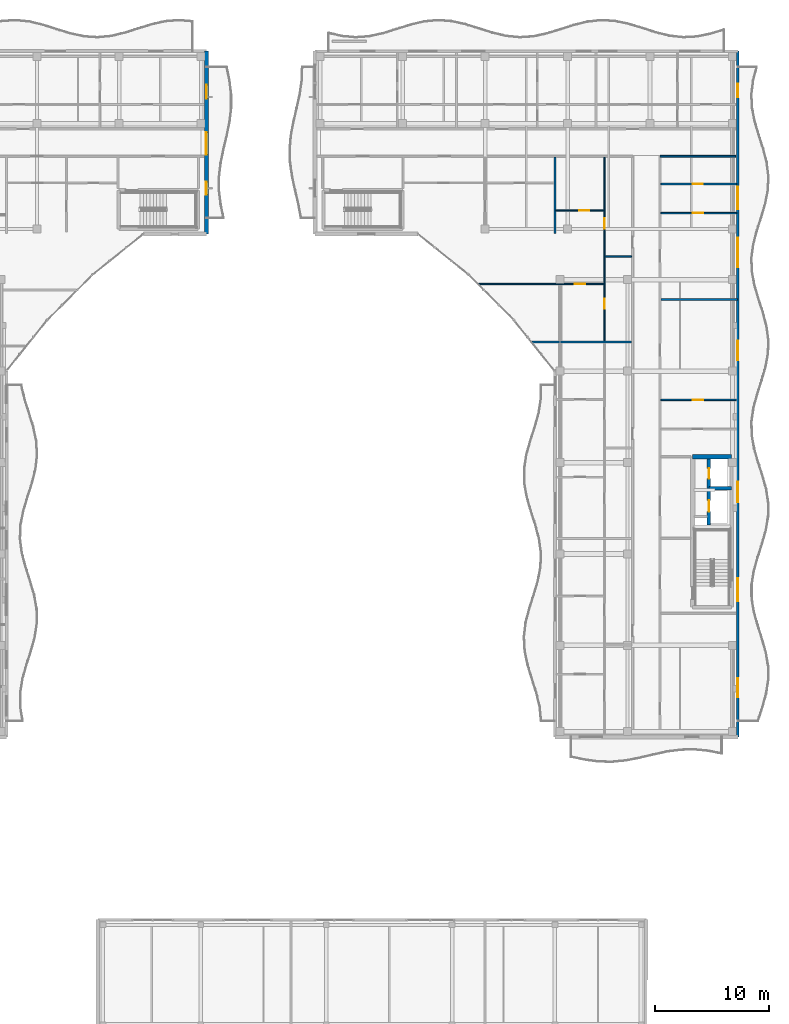
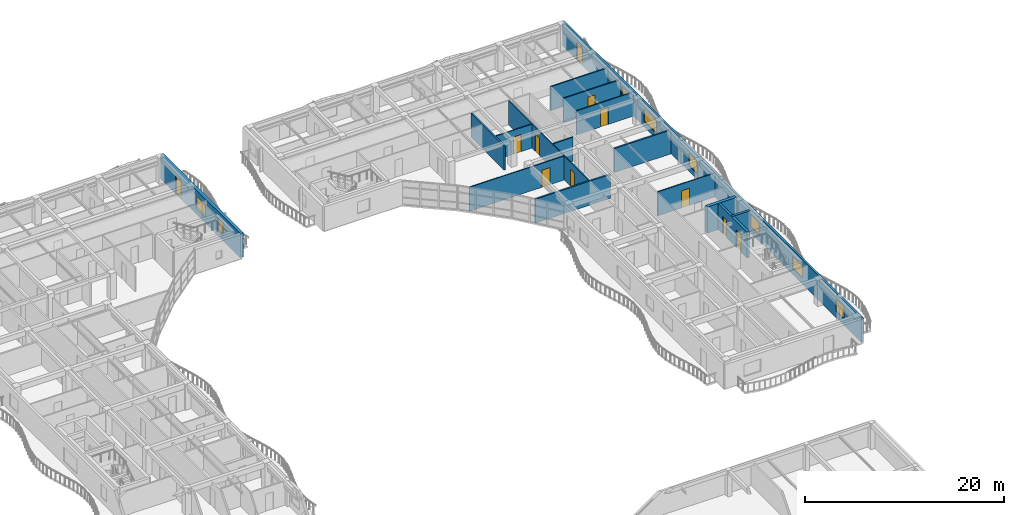
# One storey, part 61 of 89: 16 walls, 11 doors, 8 windows, 19 openings.
"""IFC4 building model written with IfcOpenShell, lengths in metres."""

from ifc_helpers import new_model, si_unit, direction, frame, frame_2d, origin, place, context, subcontext, project, spatial, rectangle, extrude, material, layer, layer_set, type_object, element, fill, save


model = new_model("IFC4")

# Units and contexts
model_context = context("Model", 3, precision=1e-05, world=origin(), true_north=direction((0.0, 1.0)))
body_context = subcontext(model_context, "Body", "Model", "MODEL_VIEW")
ifc_project = project(units=[si_unit("LENGTHUNIT", "METRE"), si_unit("AREAUNIT", "SQUARE_METRE"), si_unit("VOLUMEUNIT", "CUBIC_METRE"), si_unit("PLANEANGLEUNIT", "RADIAN"), si_unit("MASSUNIT", "GRAM", prefix="KILO")], contexts=[model_context])

# Site, building, storey
site_placement = place(None, origin())
site = spatial("IfcSite", under=ifc_project, at=site_placement, CompositionType="ELEMENT")
building_placement = place(site_placement, origin())
building = spatial("IfcBuilding", under=site, at=building_placement, Name="Keldmere Railside Commons", CompositionType="ELEMENT")
storey_placement = place(building_placement, frame((0.0, 0.0, 7.360107421875)))
storey = spatial("IfcBuildingStorey", under=building, at=storey_placement, Name="L02", CompositionType="ELEMENT", Elevation=7.360107421875)

# Walls
ifc_material_1 = material(Name="Acoustic Gypsum Board Partition", Category="gypsum")
ifc_layer_1 = layer(ifc_material_1, 0.179931640625, Name="Acoustic Demising Partition 180")
ifc_layer_set_1 = layer_set([ifc_layer_1], Name="Acoustic Gypsum Board Partition")
wall_type_1 = type_object("IfcWallType", Name="Acoustic Demising Partition 180", PredefinedType="PARTITIONING", material=ifc_layer_set_1)
wall_1_placement = place(storey_placement, frame((168.0, 100.050048828125, 0.0), z_axis=(0.0, 0.0, 1.0), x_axis=(0.0, 1.0, 0.0)))
element("IfcWall", 1, at=wall_1_placement, inside=storey, type_object=wall_type_1, Name="IW-1 IW-L02-1470", PredefinedType="PARTITIONING", context=body_context, shape_type="SweptSolid", body=[
    extrude(rectangle(XDim=6.669921875, YDim=0.179931640625, at=frame_2d((3.3349609375, 0.0))), origin(), (0.0, 0.0, 1.0), 2.934814453125),
])
wall_2_placement = place(storey_placement, frame((166.005615234375, 90.550048828125, 0.0), z_axis=(0.0, 0.0, 1.0), x_axis=(1.0, 0.0, 0.0)))
element("IfcWall", 2, at=wall_2_placement, inside=storey, type_object=wall_type_1, Name="IW-1 IW-L02-1474", PredefinedType="PARTITIONING", context=body_context, shape_type="SweptSolid", body=[
    extrude(rectangle(XDim=8.71435546875, YDim=0.179931640625, at=frame_2d((4.357177734375, 0.0))), origin(), (0.0, 0.0, 1.0), 2.934814453125),
])
wall_3_placement = place(storey_placement, frame((177.280029296875, 94.25, 0.0), z_axis=(0.0, 0.0, 1.0), x_axis=(1.0, 0.0, 0.0)))
element("IfcWall", 3, at=wall_3_placement, inside=storey, type_object=wall_type_1, Name="IW-1 IW-L02-1501", PredefinedType="PARTITIONING", context=body_context, shape_type="SweptSolid", body=[
    extrude(rectangle(XDim=6.679931640625, YDim=0.179931640625, at=frame_2d((3.33984375, 0.0))), origin(), (0.0, 0.0, 1.0), 2.934814453125),
])

# Wall, openings, doors
ifc_layer_2 = layer(ifc_material_1, 0.1201171875, Name="Apartment Interior Partition 120")
ifc_layer_set_2 = layer_set([ifc_layer_2], Name="Acoustic Gypsum Board Partition")
wall_type_2 = type_object("IfcWallType", Name="Apartment Interior Partition 120", PredefinedType="PARTITIONING", material=ifc_layer_set_2)
wall_4_placement = place(storey_placement, frame((172.340087890625, 90.639892578125, 0.0), z_axis=(0.0, 0.0, 1.0), x_axis=(0.0, 1.0, 0.0)))
wall_4 = element("IfcWall", 4, at=wall_4_placement, inside=storey, type_object=wall_type_2, Name="IW-4 IW-L02-1483", PredefinedType="PARTITIONING", context=body_context, shape_type="SweptSolid", body=[
    extrude(rectangle(XDim=16.080078125, YDim=0.1201171875, at=frame_2d((8.0400390625, 0.0))), origin(), (0.0, 0.0, 1.0), 2.934814453125),
])
opening_1_placement = place(wall_4_placement, frame((2.81201171875, 0.0, 0.0)))
opening_1 = element("IfcOpeningElement", 5, at=opening_1_placement, cuts=wall_4, Name="Opening ID-04", PredefinedType="OPENING", context=body_context, shape_type="SweptSolid", body=[
    extrude(rectangle(XDim=0.860107421875, YDim=2.10009765625, at=frame_2d((0.43017578125, 1.050048828125))), frame((0.0, 0.070068359375, 0.0), z_axis=(0.0, -1.0, 0.0), x_axis=(1.0, 0.0, 0.0)), (0.0, 0.0, 1.0), 0.14013671875),
])
opening_2_placement = place(wall_4_placement, frame((9.830322265625, 0.0, 0.0)))
opening_2 = element("IfcOpeningElement", 6, at=opening_2_placement, cuts=wall_4, Name="Opening ID-03", PredefinedType="OPENING", context=body_context, shape_type="SweptSolid", body=[
    extrude(rectangle(XDim=0.919921875, YDim=2.10009765625, at=frame_2d((0.4599609375, 1.050048828125))), frame((0.0, 0.070068359375, 0.0), z_axis=(0.0, -1.0, 0.0), x_axis=(1.0, 0.0, 0.0)), (0.0, 0.0, 1.0), 0.14013671875),
])
ifc_material_2 = material(Name="Engineered Oak Timber", Category="wood")
door_type_1 = type_object("IfcDoorType", Name="Apartment Bathroom Door 860x2100", OperationType="NOTDEFINED", PredefinedType="DOOR", material=ifc_material_2)
door_1_placement = place(opening_1_placement, origin())
door_1 = element("IfcDoor", 7, at=door_1_placement, inside=storey, type_object=door_type_1, Name="ID-04 IDR-L02-1328", OperationType="SINGLE_SWING_RIGHT", OverallHeight=2.10009765625, OverallWidth=0.860107421875, PredefinedType="DOOR", context=body_context, shape_type="SweptSolid", body=[
    extrude(rectangle(XDim=0.860107421875, YDim=2.10009765625, at=frame_2d((0.43017578125, 1.050048828125))), frame((0.0, 0.02490234375, 0.0), z_axis=(0.0, -1.0, 0.0), x_axis=(1.0, 0.0, 0.0)), (0.0, 0.0, 1.0), 0.050048828125),
])
fill(opening_1, door_1)
door_type_2 = type_object("IfcDoorType", Name="Kitchen Pocket-Frame Swing Door 920x2100", OperationType="NOTDEFINED", PredefinedType="DOOR", material=ifc_material_2)
door_2_placement = place(opening_2_placement, origin())
door_2 = element("IfcDoor", 8, at=door_2_placement, inside=storey, type_object=door_type_2, Name="ID-03 IDR-L02-1329", OperationType="SINGLE_SWING_LEFT", OverallHeight=2.10009765625, OverallWidth=0.919921875, PredefinedType="DOOR", context=body_context, shape_type="SweptSolid", body=[
    extrude(rectangle(XDim=0.919921875, YDim=2.10009765625, at=frame_2d((0.4599609375, 1.050048828125))), frame((0.0, 0.02490234375, 0.0), z_axis=(0.0, -1.0, 0.0), x_axis=(1.0, 0.0, 0.0)), (0.0, 0.0, 1.0), 0.050048828125),
])
fill(opening_2, door_2)

# Wall, opening, door
wall_5_placement = place(storey_placement, frame((161.3125, 95.6201171875, 0.0), z_axis=(0.0, 0.0, 1.0), x_axis=(1.0, 0.0, 0.0)))
wall_5 = element("IfcWall", 9, at=wall_5_placement, inside=storey, type_object=wall_type_2, Name="IW-4 IW-L02-1485", PredefinedType="PARTITIONING", context=body_context, shape_type="SweptSolid", body=[
    extrude(rectangle(XDim=10.967529296875, YDim=0.1201171875, at=frame_2d((5.48388671875, 0.0))), origin(), (0.0, 0.0, 1.0), 2.934814453125),
])
opening_3_placement = place(wall_5_placement, frame((8.422119140625, 0.0, 0.0)))
opening_3 = element("IfcOpeningElement", 10, at=opening_3_placement, cuts=wall_5, Name="Opening ID-01", PredefinedType="OPENING", context=body_context, shape_type="SweptSolid", body=[
    extrude(rectangle(XDim=0.89990234375, YDim=2.10009765625, at=frame_2d((0.449951171875, 1.050048828125))), frame((0.0, 0.070068359375, 0.0), z_axis=(0.0, -1.0, 0.0), x_axis=(1.0, 0.0, 0.0)), (0.0, 0.0, 1.0), 0.14013671875),
])
door_type_3 = type_object("IfcDoorType", Name="Primary Bedroom Door 900x2100", OperationType="NOTDEFINED", PredefinedType="DOOR", material=ifc_material_2)
door_3_placement = place(opening_3_placement, origin())
door_3 = element("IfcDoor", 11, at=door_3_placement, inside=storey, type_object=door_type_3, Name="ID-01 IDR-L02-1331", OperationType="SINGLE_SWING_LEFT", OverallHeight=2.10009765625, OverallWidth=0.89990234375, PredefinedType="DOOR", context=body_context, shape_type="SweptSolid", body=[
    extrude(rectangle(XDim=0.89990234375, YDim=2.10009765625, at=frame_2d((0.449951171875, 1.050048828125))), frame((0.0, 0.02490234375, 0.0), z_axis=(0.0, -1.0, 0.0), x_axis=(1.0, 0.0, 0.0)), (0.0, 0.0, 1.0), 0.050048828125),
])
fill(opening_3, door_3)

wall_6_placement = place(storey_placement, frame((168.090087890625, 102.06005859375, 0.0), z_axis=(0.0, 0.0, 1.0), x_axis=(1.0, 0.0, 0.0)))
wall_6 = element("IfcWall", 12, at=wall_6_placement, inside=storey, type_object=wall_type_2, Name="IW-4 IW-L02-1486", PredefinedType="PARTITIONING", context=body_context, shape_type="SweptSolid", body=[
    extrude(rectangle(XDim=4.18994140625, YDim=0.1201171875, at=frame_2d((2.094970703125, 0.0))), origin(), (0.0, 0.0, 1.0), 2.934814453125),
])
opening_4_placement = place(wall_6_placement, frame((2.054931640625, 0.0, 0.0)))
opening_4 = element("IfcOpeningElement", 13, at=opening_4_placement, cuts=wall_6, Name="Opening ID-02", PredefinedType="OPENING", context=body_context, shape_type="SweptSolid", body=[
    extrude(rectangle(XDim=0.8798828125, YDim=2.10009765625, at=frame_2d((0.43994140625, 1.050048828125))), frame((0.0, 0.070068359375, 0.0), z_axis=(0.0, -1.0, 0.0), x_axis=(1.0, 0.0, 0.0)), (0.0, 0.0, 1.0), 0.14013671875),
])
door_type_4 = type_object("IfcDoorType", Name="Secondary Bedroom Door 880x2100", OperationType="NOTDEFINED", PredefinedType="DOOR", material=ifc_material_2)
door_4_placement = place(opening_4_placement, origin())
door_4 = element("IfcDoor", 14, at=door_4_placement, inside=storey, type_object=door_type_4, Name="ID-02 IDR-L02-1332", OperationType="SINGLE_SWING_RIGHT", OverallHeight=2.10009765625, OverallWidth=0.8798828125, PredefinedType="DOOR", context=body_context, shape_type="SweptSolid", body=[
    extrude(rectangle(XDim=0.8798828125, YDim=2.10009765625, at=frame_2d((0.43994140625, 1.050048828125))), frame((0.0, 0.02490234375, 0.0), z_axis=(0.0, -1.0, 0.0), x_axis=(1.0, 0.0, 0.0)), (0.0, 0.0, 1.0), 0.050048828125),
])
fill(opening_4, door_4)

wall_7_placement = place(storey_placement, frame((177.280029296875, 85.47998046875, 0.0), z_axis=(0.0, 0.0, 1.0), x_axis=(1.0, 0.0, 0.0)))
wall_7 = element("IfcWall", 15, at=wall_7_placement, inside=storey, type_object=wall_type_2, Name="IW-4 IW-L02-1503", PredefinedType="PARTITIONING", context=body_context, shape_type="SweptSolid", body=[
    extrude(rectangle(XDim=6.599853515625, YDim=0.1201171875, at=frame_2d((3.2998046875, 0.0))), origin(), (0.0, 0.0, 1.0), 2.934814453125),
])
opening_5_placement = place(wall_7_placement, frame((2.77197265625, 0.0, 0.0)))
opening_5 = element("IfcOpeningElement", 16, at=opening_5_placement, cuts=wall_7, Name="Opening ID-03", PredefinedType="OPENING", context=body_context, shape_type="SweptSolid", body=[
    extrude(rectangle(XDim=0.919921875, YDim=2.10009765625, at=frame_2d((0.4599609375, 1.050048828125))), frame((0.0, 0.070068359375, 0.0), z_axis=(0.0, -1.0, 0.0), x_axis=(1.0, 0.0, 0.0)), (0.0, 0.0, 1.0), 0.14013671875),
])
door_5_placement = place(opening_5_placement, origin())
door_5 = element("IfcDoor", 17, at=door_5_placement, inside=storey, type_object=door_type_2, Name="ID-03 IDR-L02-1354", OperationType="SINGLE_SWING_RIGHT", OverallHeight=2.10009765625, OverallWidth=0.919921875, PredefinedType="DOOR", context=body_context, shape_type="SweptSolid", body=[
    extrude(rectangle(XDim=0.919921875, YDim=2.10009765625, at=frame_2d((0.4599609375, 1.050048828125))), frame((0.0, 0.02490234375, 0.0), z_axis=(0.0, -1.0, 0.0), x_axis=(1.0, 0.0, 0.0)), (0.0, 0.0, 1.0), 0.050048828125),
])
fill(opening_5, door_5)

wall_8_placement = place(storey_placement, frame((177.280029296875, 101.820068359375, 0.0), z_axis=(0.0, 0.0, 1.0), x_axis=(1.0, 0.0, 0.0)))
wall_8 = element("IfcWall", 18, at=wall_8_placement, inside=storey, type_object=wall_type_2, Name="IW-4 IW-L02-1504", PredefinedType="PARTITIONING", context=body_context, shape_type="SweptSolid", body=[
    extrude(rectangle(XDim=6.6298828125, YDim=0.1201171875, at=frame_2d((3.31494140625, 0.0))), origin(), (0.0, 0.0, 1.0), 2.934814453125),
])
opening_6_placement = place(wall_8_placement, frame((2.78466796875, 0.0, 0.0)))
opening_6 = element("IfcOpeningElement", 19, at=opening_6_placement, cuts=wall_8, Name="Opening ID-03", PredefinedType="OPENING", context=body_context, shape_type="SweptSolid", body=[
    extrude(rectangle(XDim=0.919921875, YDim=2.10009765625, at=frame_2d((0.4599609375, 1.050048828125))), frame((0.0, 0.070068359375, 0.0), z_axis=(0.0, -1.0, 0.0), x_axis=(1.0, 0.0, 0.0)), (0.0, 0.0, 1.0), 0.14013671875),
])
door_6_placement = place(opening_6_placement, origin())
door_6 = element("IfcDoor", 20, at=door_6_placement, inside=storey, type_object=door_type_2, Name="ID-03 IDR-L02-1357", OperationType="SINGLE_SWING_LEFT", OverallHeight=2.10009765625, OverallWidth=0.919921875, PredefinedType="DOOR", context=body_context, shape_type="SweptSolid", body=[
    extrude(rectangle(XDim=0.919921875, YDim=2.10009765625, at=frame_2d((0.4599609375, 1.050048828125))), frame((0.0, 0.02490234375, 0.0), z_axis=(0.0, -1.0, 0.0), x_axis=(1.0, 0.0, 0.0)), (0.0, 0.0, 1.0), 0.050048828125),
])
fill(opening_6, door_6)

# Wall
ifc_material_3 = material(Name="Concrete H-35 (C35/45)", Category="concrete")
ifc_layer_3 = layer(ifc_material_3, 0.280029296875, Name="Core Shear Wall 280")
ifc_layer_set_3 = layer_set([ifc_layer_3], Name="Concrete H-35 (C35/45)")
wall_type_3 = type_object("IfcWallType", Name="Core Shear Wall 280", PredefinedType="SHEAR", material=ifc_layer_set_3)
wall_9_placement = place(storey_placement, frame((181.469970703125, 77.75, 0.0), z_axis=(0.0, 0.0, 1.0), x_axis=(1.0, 0.0, 0.0)))
element("IfcWall", 21, at=wall_9_placement, inside=storey, type_object=wall_type_3, Name="CSW-2 COREAL-L02-0737", PredefinedType="SHEAR", context=body_context, shape_type="SweptSolid", body=[
    extrude(rectangle(XDim=2.0, YDim=0.280029296875, at=frame_2d((1.0, 0.0))), origin(), (0.0, 0.0, 1.0), 3.199951171875),
])

# Wall, openings, doors
wall_10_placement = place(storey_placement, frame((181.469970703125, 74.550048828125, 0.0), z_axis=(0.0, 0.0, 1.0), x_axis=(0.0, 1.0, 0.0)))
wall_10 = element("IfcWall", 22, at=wall_10_placement, inside=storey, type_object=wall_type_3, Name="CSW-2 LSHA-L02-0738", PredefinedType="SHEAR", context=body_context, shape_type="SweptSolid", body=[
    extrude(rectangle(XDim=5.949951171875, YDim=0.280029296875, at=frame_2d((2.97509765625, 0.0))), origin(), (0.0, 0.0, 1.0), 3.199951171875),
])
opening_7_placement = place(wall_10_placement, frame((1.14990234375, 0.0, 0.0)))
opening_7 = element("IfcOpeningElement", 23, at=opening_7_placement, cuts=wall_10, Name="Opening LD-1", PredefinedType="OPENING", context=body_context, shape_type="SweptSolid", body=[
    extrude(rectangle(XDim=1.0, YDim=2.14990234375, at=frame_2d((0.5, 1.074951171875))), frame((0.0, 0.14990234375, 0.0), z_axis=(0.0, -1.0, 0.0), x_axis=(1.0, 0.0, 0.0)), (0.0, 0.0, 1.0), 0.300048828125),
])
opening_8_placement = place(wall_10_placement, frame((4.050048828125, 0.0, 0.0)))
opening_8 = element("IfcOpeningElement", 24, at=opening_8_placement, cuts=wall_10, Name="Opening LD-2", PredefinedType="OPENING", context=body_context, shape_type="SweptSolid", body=[
    extrude(rectangle(XDim=0.89990234375, YDim=2.14990234375, at=frame_2d((0.449951171875, 1.074951171875))), frame((0.0, 0.14990234375, 0.0), z_axis=(0.0, -1.0, 0.0), x_axis=(1.0, 0.0, 0.0)), (0.0, 0.0, 1.0), 0.300048828125),
])
ifc_material_4 = material(Name="Steel F-24 (S235)", Category="steel")
door_type_5 = type_object("IfcDoorType", Name="Firefighting Stretcher Lift Landing Door 1000x2150", OperationType="SLIDING_TO_LEFT", PredefinedType="DOOR", material=ifc_material_4)
door_7_placement = place(opening_7_placement, origin())
door_7 = element("IfcDoor", 25, at=door_7_placement, inside=storey, type_object=door_type_5, Name="LD-1 A L02", OperationType="SLIDING_TO_LEFT", OverallHeight=2.14990234375, OverallWidth=1.0, PredefinedType="DOOR", context=body_context, shape_type="SweptSolid", body=[
    extrude(rectangle(XDim=1.0, YDim=2.14990234375, at=frame_2d((0.5, 1.074951171875))), frame((0.0, 0.02490234375, 0.0), z_axis=(0.0, -1.0, 0.0), x_axis=(1.0, 0.0, 0.0)), (0.0, 0.0, 1.0), 0.050048828125),
])
fill(opening_7, door_7)
door_type_6 = type_object("IfcDoorType", Name="Passenger Lift Sliding Landing Door 900x2150", OperationType="SLIDING_TO_RIGHT", PredefinedType="DOOR", material=ifc_material_4)
door_8_placement = place(opening_8_placement, origin())
door_8 = element("IfcDoor", 26, at=door_8_placement, inside=storey, type_object=door_type_6, Name="LD-2 A L02", OperationType="SLIDING_TO_RIGHT", OverallHeight=2.14990234375, OverallWidth=0.89990234375, PredefinedType="DOOR", context=body_context, shape_type="SweptSolid", body=[
    extrude(rectangle(XDim=0.89990234375, YDim=2.14990234375, at=frame_2d((0.449951171875, 1.074951171875))), frame((0.0, 0.02490234375, 0.0), z_axis=(0.0, -1.0, 0.0), x_axis=(1.0, 0.0, 0.0)), (0.0, 0.0, 1.0), 0.050048828125),
])
fill(opening_8, door_8)

# Walls
ifc_material_5 = material(Name="Concrete H-40 (C40/50)", Category="concrete")
ifc_layer_4 = layer(ifc_material_5, 0.3798828125, Name="Core Shear Wall 380")
ifc_layer_set_4 = layer_set([ifc_layer_4], Name="Concrete H-40 (C40/50)")
wall_type_4 = type_object("IfcWallType", Name="Core Shear Wall 380", PredefinedType="SHEAR", material=ifc_layer_set_4)
wall_11_placement = place(storey_placement, frame((180.06005859375, 80.5, 0.0), z_axis=(0.0, 0.0, 1.0), x_axis=(1.0, 0.0, 0.0)))
element("IfcWall", 27, at=wall_11_placement, inside=storey, type_object=wall_type_4, Name="CW-CORE COREAN-L02-0733", PredefinedType="SHEAR", context=body_context, shape_type="SweptSolid", body=[
    extrude(rectangle(XDim=3.409912109375, YDim=0.3798828125, at=frame_2d((1.705078125, 0.0))), origin(), (0.0, 0.0, 1.0), 3.199951171875),
])
ifc_layer_5 = layer(ifc_material_1, 0.159912109375, Name="Corridor Fire Partition 160")
ifc_layer_set_5 = layer_set([ifc_layer_5], Name="Acoustic Gypsum Board Partition")
wall_type_5 = type_object("IfcWallType", Name="Corridor Fire Partition 160", PredefinedType="PARTITIONING", material=ifc_layer_set_5)
wall_12_placement = place(storey_placement, frame((177.199951171875, 106.800048828125, 0.0), z_axis=(0.0, 0.0, 1.0), x_axis=(1.0, 0.0, 0.0)))
element("IfcWall", 28, at=wall_12_placement, inside=storey, type_object=wall_type_5, Name="IW-2 IW-L02-1468", PredefinedType="PARTITIONING", context=body_context, shape_type="SweptSolid", body=[
    extrude(rectangle(XDim=6.6201171875, YDim=0.159912109375, at=frame_2d((3.31005859375, 0.0))), origin(), (0.0, 0.0, 1.0), 2.934814453125),
])

# Wall, openings, windows, door
ifc_layer_6 = layer(ifc_material_3, 0.360107421875, Name="Exterior Shear Wall 360")
ifc_layer_set_6 = layer_set([ifc_layer_6], Name="Concrete H-35 (C35/45)")
wall_type_6 = type_object("IfcWallType", Name="Exterior Shear Wall 360", PredefinedType="SHEAR", material=ifc_layer_set_6)
wall_13_placement = place(storey_placement, frame((137.5, 116.0, 0.0), z_axis=(0.0, 0.0, 1.0), x_axis=(0.0, -1.0, 0.0)))
wall_13 = element("IfcWall", 29, at=wall_13_placement, inside=storey, type_object=wall_type_6, Name="ESW-1 EXTB-L02-0596", PredefinedType="SHEAR", context=body_context, shape_type="SweptSolid", body=[
    extrude(rectangle(XDim=16.0, YDim=0.360107421875, at=frame_2d((8.0, 0.0))), origin(), (0.0, 0.0, 1.0), 2.97998046875),
])
opening_9_placement = place(wall_13_placement, frame((2.949951171875, 0.0, 0.0)))
opening_9 = element("IfcOpeningElement", 30, at=opening_9_placement, cuts=wall_13, Name="Opening BD-01", PredefinedType="OPENING", context=body_context, shape_type="SweptSolid", body=[
    extrude(rectangle(XDim=1.199951171875, YDim=2.199951171875, at=frame_2d((0.60009765625, 1.10009765625))), frame((0.0, 0.18994140625, 0.0), z_axis=(0.0, -1.0, 0.0), x_axis=(1.0, 0.0, 0.0)), (0.0, 0.0, 1.0), 0.380126953125),
])
opening_10_placement = place(wall_13_placement, frame((7.10009765625, 0.0, 0.719970703125)))
opening_10 = element("IfcOpeningElement", 31, at=opening_10_placement, cuts=wall_13, Name="Opening WN-38", PredefinedType="OPENING", context=body_context, shape_type="SweptSolid", body=[
    extrude(rectangle(XDim=1.949951171875, YDim=1.5, at=frame_2d((0.97509765625, 0.75))), frame((0.0, 0.18994140625, 0.0), z_axis=(0.0, -1.0, 0.0), x_axis=(1.0, 0.0, 0.0)), (0.0, 0.0, 1.0), 0.380126953125),
])
opening_11_placement = place(wall_13_placement, frame((11.449951171875, 0.0, 0.6201171875)))
opening_11 = element("IfcOpeningElement", 32, at=opening_11_placement, cuts=wall_13, Name="Opening WN-16", PredefinedType="OPENING", context=body_context, shape_type="SweptSolid", body=[
    extrude(rectangle(XDim=1.10009765625, YDim=1.60009765625, at=frame_2d((0.550048828125, 0.800048828125))), frame((0.0, 0.18994140625, 0.0), z_axis=(0.0, -1.0, 0.0), x_axis=(1.0, 0.0, 0.0)), (0.0, 0.0, 1.0), 0.380126953125),
])
ifc_material_6 = material(Name="Low-E Insulated Double Glazing", Category="glass")
window_type_1 = type_object("IfcWindowType", Name="Adaptable Apartment Wide Window 1950x1500", PartitioningType="SINGLE_PANEL", PredefinedType="WINDOW", material=ifc_material_6)
window_1_placement = place(opening_10_placement, origin())
window_1 = element("IfcWindow", 33, at=window_1_placement, inside=storey, type_object=window_type_1, Name="WN-38 WIN-L02-0388", OverallHeight=1.5, OverallWidth=1.949951171875, PartitioningType="SINGLE_PANEL", PredefinedType="WINDOW", context=body_context, shape_type="SweptSolid", body=[
    extrude(rectangle(XDim=1.949951171875, YDim=1.5, at=frame_2d((0.97509765625, 0.75))), frame((0.0, 0.030029296875, 0.0), z_axis=(0.0, -1.0, 0.0), x_axis=(1.0, 0.0, 0.0)), (0.0, 0.0, 1.0), 0.06005859375),
])
fill(opening_10, window_1)
ifc_material_7 = material(Name="Thermally Broken Aluminium", Category="aluminium")
door_type_7 = type_object("IfcDoorType", Name="Apartment Living Wave-Balcony Glazed Door 1200x2200", OperationType="NOTDEFINED", PredefinedType="DOOR", material=ifc_material_7)
door_9_placement = place(opening_9_placement, origin())
door_9 = element("IfcDoor", 34, at=door_9_placement, inside=storey, type_object=door_type_7, Name="BD-01 DR-L02-0138", OperationType="SINGLE_SWING_RIGHT", OverallHeight=2.199951171875, OverallWidth=1.199951171875, PredefinedType="DOOR", context=body_context, shape_type="SweptSolid", body=[
    extrude(rectangle(XDim=1.199951171875, YDim=2.199951171875, at=frame_2d((0.60009765625, 1.10009765625))), frame((0.0, 0.02490234375, 0.0), z_axis=(0.0, -1.0, 0.0), x_axis=(1.0, 0.0, 0.0)), (0.0, 0.0, 1.0), 0.050048828125),
])
fill(opening_9, door_9)
window_type_2 = type_object("IfcWindowType", Name="Corridor End Daylight Window 1100x1600", PartitioningType="SINGLE_PANEL", PredefinedType="WINDOW", material=ifc_material_6)
window_2_placement = place(opening_11_placement, origin())
window_2 = element("IfcWindow", 35, at=window_2_placement, inside=storey, type_object=window_type_2, Name="WN-16 WIN-L02-0389", OverallHeight=1.60009765625, OverallWidth=1.10009765625, PartitioningType="SINGLE_PANEL", PredefinedType="WINDOW", context=body_context, shape_type="SweptSolid", body=[
    extrude(rectangle(XDim=1.10009765625, YDim=1.60009765625, at=frame_2d((0.550048828125, 0.800048828125))), frame((0.0, 0.030029296875, 0.0), z_axis=(0.0, -1.0, 0.0), x_axis=(1.0, 0.0, 0.0)), (0.0, 0.0, 1.0), 0.06005859375),
])
fill(opening_11, window_2)

ifc_material_8 = material(Name="Architectural Precast Concrete H-35 (C35/45)", Category="concrete")
ifc_layer_7 = layer(ifc_material_8, 0.239990234375, Name="Sand-Ochre Precast Cavity Wall 240")
ifc_layer_set_7 = layer_set([ifc_layer_7], Name="Architectural Precast Concrete H-35 (C35/45)")
wall_type_7 = type_object("IfcWallType", Name="Sand-Ochre Precast Cavity Wall 240", PredefinedType="SOLIDWALL", material=ifc_layer_set_7)
wall_14_placement = place(storey_placement, frame((184.0, 116.0, 0.0), z_axis=(0.0, 0.0, 1.0), x_axis=(0.0, -1.0, 0.0)))
wall_14 = element("IfcWall", 36, at=wall_14_placement, inside=storey, type_object=wall_type_7, Name="EW-2 EXTA-L02-0890", PredefinedType="SOLIDWALL", context=body_context, shape_type="SweptSolid", body=[
    extrude(rectangle(XDim=60.0, YDim=0.239990234375, at=frame_2d((30.0, 0.0))), origin(), (0.0, 0.0, 1.0), 2.97998046875),
])
opening_12_placement = place(wall_14_placement, frame((2.835693359375, 0.0, 0.0)))
opening_12 = element("IfcOpeningElement", 37, at=opening_12_placement, cuts=wall_14, Name="Opening BD-01", PredefinedType="OPENING", context=body_context, shape_type="SweptSolid", body=[
    extrude(rectangle(XDim=1.199951171875, YDim=2.199951171875, at=frame_2d((0.60009765625, 1.10009765625))), frame((0.0, 0.1298828125, 0.0), z_axis=(0.0, -1.0, 0.0), x_axis=(1.0, 0.0, 0.0)), (0.0, 0.0, 1.0), 0.260009765625),
])
opening_13_placement = place(wall_14_placement, frame((11.882080078125, 0.0, 0.719970703125)))
opening_13 = element("IfcOpeningElement", 38, at=opening_13_placement, cuts=wall_14, Name="Opening WN-38", PredefinedType="OPENING", context=body_context, shape_type="SweptSolid", body=[
    extrude(rectangle(XDim=1.949951171875, YDim=1.5, at=frame_2d((0.97509765625, 0.75))), frame((0.0, 0.1298828125, 0.0), z_axis=(0.0, -1.0, 0.0), x_axis=(1.0, 0.0, 0.0)), (0.0, 0.0, 1.0), 0.260009765625),
])
opening_14_placement = place(wall_14_placement, frame((16.32861328125, 0.0, 0.669921875)))
opening_14 = element("IfcOpeningElement", 39, at=opening_14_placement, cuts=wall_14, Name="Opening WN-39", PredefinedType="OPENING", context=body_context, shape_type="SweptSolid", body=[
    extrude(rectangle(XDim=2.60009765625, YDim=1.550048828125, at=frame_2d((1.300048828125, 0.77490234375))), frame((0.0, 0.1298828125, 0.0), z_axis=(0.0, -1.0, 0.0), x_axis=(1.0, 0.0, 0.0)), (0.0, 0.0, 1.0), 0.260009765625),
])
opening_15_placement = place(wall_14_placement, frame((25.360107421875, 0.0, 0.719970703125)))
opening_15 = element("IfcOpeningElement", 40, at=opening_15_placement, cuts=wall_14, Name="Opening WN-40", PredefinedType="OPENING", context=body_context, shape_type="SweptSolid", body=[
    extrude(rectangle(XDim=1.679931640625, YDim=1.5, at=frame_2d((0.83984375, 0.75))), frame((0.0, 0.1298828125, 0.0), z_axis=(0.0, -1.0, 0.0), x_axis=(1.0, 0.0, 0.0)), (0.0, 0.0, 1.0), 0.260009765625),
])
opening_16_placement = place(wall_14_placement, frame((37.67138671875, 0.0, 0.719970703125)))
opening_16 = element("IfcOpeningElement", 41, at=opening_16_placement, cuts=wall_14, Name="Opening WN-01", PredefinedType="OPENING", context=body_context, shape_type="SweptSolid", body=[
    extrude(rectangle(XDim=1.800048828125, YDim=1.5, at=frame_2d((0.89990234375, 0.75))), frame((0.0, 0.1298828125, 0.0), z_axis=(0.0, -1.0, 0.0), x_axis=(1.0, 0.0, 0.0)), (0.0, 0.0, 1.0), 0.260009765625),
])
opening_17_placement = place(wall_14_placement, frame((46.142822265625, 0.0, 0.719970703125)))
opening_17 = element("IfcOpeningElement", 42, at=opening_17_placement, cuts=wall_14, Name="Opening WN-02", PredefinedType="OPENING", context=body_context, shape_type="SweptSolid", body=[
    extrude(rectangle(XDim=2.0, YDim=1.5, at=frame_2d((1.0, 0.75))), frame((0.0, 0.1298828125, 0.0), z_axis=(0.0, -1.0, 0.0), x_axis=(1.0, 0.0, 0.0)), (0.0, 0.0, 1.0), 0.260009765625),
])
opening_18_placement = place(wall_14_placement, frame((54.889404296875, 0.0, 0.77001953125)))
opening_18 = element("IfcOpeningElement", 43, at=opening_18_placement, cuts=wall_14, Name="Opening WN-03", PredefinedType="OPENING", context=body_context, shape_type="SweptSolid", body=[
    extrude(rectangle(XDim=1.64990234375, YDim=1.449951171875, at=frame_2d((0.824951171875, 0.72509765625))), frame((0.0, 0.1298828125, 0.0), z_axis=(0.0, -1.0, 0.0), x_axis=(1.0, 0.0, 0.0)), (0.0, 0.0, 1.0), 0.260009765625),
])
window_3_placement = place(opening_13_placement, origin())
window_3 = element("IfcWindow", 44, at=window_3_placement, inside=storey, type_object=window_type_1, Name="WN-38 WIN-L02-0606", OverallHeight=1.5, OverallWidth=1.949951171875, PartitioningType="SINGLE_PANEL", PredefinedType="WINDOW", context=body_context, shape_type="SweptSolid", body=[
    extrude(rectangle(XDim=1.949951171875, YDim=1.5, at=frame_2d((0.97509765625, 0.75))), frame((0.0, 0.030029296875, 0.0), z_axis=(0.0, -1.0, 0.0), x_axis=(1.0, 0.0, 0.0)), (0.0, 0.0, 1.0), 0.06005859375),
])
fill(opening_13, window_3)
door_10_placement = place(opening_12_placement, origin())
door_10 = element("IfcDoor", 45, at=door_10_placement, inside=storey, type_object=door_type_7, Name="BD-01 DR-L02-0227", OperationType="SINGLE_SWING_LEFT", OverallHeight=2.199951171875, OverallWidth=1.199951171875, PredefinedType="DOOR", context=body_context, shape_type="SweptSolid", body=[
    extrude(rectangle(XDim=1.199951171875, YDim=2.199951171875, at=frame_2d((0.60009765625, 1.10009765625))), frame((0.0, 0.02490234375, 0.0), z_axis=(0.0, -1.0, 0.0), x_axis=(1.0, 0.0, 0.0)), (0.0, 0.0, 1.0), 0.050048828125),
])
fill(opening_12, door_10)
window_type_3 = type_object("IfcWindowType", Name="Living Room East Shaded Window 1650x1450", PartitioningType="SINGLE_PANEL", PredefinedType="WINDOW", material=ifc_material_6)
window_4_placement = place(opening_18_placement, origin())
window_4 = element("IfcWindow", 46, at=window_4_placement, inside=storey, type_object=window_type_3, Name="WN-03 WIN-L02-0611", OverallHeight=1.449951171875, OverallWidth=1.64990234375, PartitioningType="SINGLE_PANEL", PredefinedType="WINDOW", context=body_context, shape_type="SweptSolid", body=[
    extrude(rectangle(XDim=1.64990234375, YDim=1.449951171875, at=frame_2d((0.824951171875, 0.72509765625))), frame((0.0, 0.030029296875, 0.0), z_axis=(0.0, -1.0, 0.0), x_axis=(1.0, 0.0, 0.0)), (0.0, 0.0, 1.0), 0.06005859375),
])
fill(opening_18, window_4)
window_type_4 = type_object("IfcWindowType", Name="Living Room North Casement Window 1800x1500", PartitioningType="SINGLE_PANEL", PredefinedType="WINDOW", material=ifc_material_6)
window_5_placement = place(opening_16_placement, origin())
window_5 = element("IfcWindow", 47, at=window_5_placement, inside=storey, type_object=window_type_4, Name="WN-01 WIN-L02-0609", OverallHeight=1.5, OverallWidth=1.800048828125, PartitioningType="SINGLE_PANEL", PredefinedType="WINDOW", context=body_context, shape_type="SweptSolid", body=[
    extrude(rectangle(XDim=1.800048828125, YDim=1.5, at=frame_2d((0.89990234375, 0.75))), frame((0.0, 0.030029296875, 0.0), z_axis=(0.0, -1.0, 0.0), x_axis=(1.0, 0.0, 0.0)), (0.0, 0.0, 1.0), 0.06005859375),
])
fill(opening_16, window_5)
window_type_5 = type_object("IfcWindowType", Name="Living Room South Casement Window 2000x1500", PartitioningType="SINGLE_PANEL", PredefinedType="WINDOW", material=ifc_material_6)
window_6_placement = place(opening_17_placement, origin())
window_6 = element("IfcWindow", 48, at=window_6_placement, inside=storey, type_object=window_type_5, Name="WN-02 WIN-L02-0610", OverallHeight=1.5, OverallWidth=2.0, PartitioningType="SINGLE_PANEL", PredefinedType="WINDOW", context=body_context, shape_type="SweptSolid", body=[
    extrude(rectangle(XDim=2.0, YDim=1.5, at=frame_2d((1.0, 0.75))), frame((0.0, 0.030029296875, 0.0), z_axis=(0.0, -1.0, 0.0), x_axis=(1.0, 0.0, 0.0)), (0.0, 0.0, 1.0), 0.06005859375),
])
fill(opening_17, window_6)
window_type_6 = type_object("IfcWindowType", Name="Three-Bed Corner Living Window 2600x1550", PartitioningType="SINGLE_PANEL", PredefinedType="WINDOW", material=ifc_material_6)
window_7_placement = place(opening_14_placement, origin())
window_7 = element("IfcWindow", 49, at=window_7_placement, inside=storey, type_object=window_type_6, Name="WN-39 WIN-L02-0607", OverallHeight=1.550048828125, OverallWidth=2.60009765625, PartitioningType="SINGLE_PANEL", PredefinedType="WINDOW", context=body_context, shape_type="SweptSolid", body=[
    extrude(rectangle(XDim=2.60009765625, YDim=1.550048828125, at=frame_2d((1.300048828125, 0.77490234375))), frame((0.0, 0.030029296875, 0.0), z_axis=(0.0, -1.0, 0.0), x_axis=(1.0, 0.0, 0.0)), (0.0, 0.0, 1.0), 0.06005859375),
])
fill(opening_14, window_7)
window_type_7 = type_object("IfcWindowType", Name="Two-Bed Dining Casement Window 1680x1500", PartitioningType="SINGLE_PANEL", PredefinedType="WINDOW", material=ifc_material_6)
window_8_placement = place(opening_15_placement, origin())
window_8 = element("IfcWindow", 50, at=window_8_placement, inside=storey, type_object=window_type_7, Name="WN-40 WIN-L02-0608", OverallHeight=1.5, OverallWidth=1.679931640625, PartitioningType="SINGLE_PANEL", PredefinedType="WINDOW", context=body_context, shape_type="SweptSolid", body=[
    extrude(rectangle(XDim=1.679931640625, YDim=1.5, at=frame_2d((0.83984375, 0.75))), frame((0.0, 0.030029296875, 0.0), z_axis=(0.0, -1.0, 0.0), x_axis=(1.0, 0.0, 0.0)), (0.0, 0.0, 1.0), 0.06005859375),
])
fill(opening_15, window_8)

# Wall
ifc_layer_8 = layer(ifc_material_1, 0.139892578125, Name="Wet-Room Sanitary Partition 140")
ifc_layer_set_8 = layer_set([ifc_layer_8], Name="Acoustic Gypsum Board Partition")
wall_type_8 = type_object("IfcWallType", Name="Wet-Room Sanitary Partition 140", PredefinedType="PARTITIONING", material=ifc_layer_set_8)
wall_15_placement = place(storey_placement, frame((172.39990234375, 98.0400390625, 0.0), z_axis=(0.0, 0.0, 1.0), x_axis=(1.0, 0.0, 0.0)))
element("IfcWall", 51, at=wall_15_placement, inside=storey, type_object=wall_type_8, Name="IW-5 IW-L02-1484", PredefinedType="PARTITIONING", context=body_context, shape_type="SweptSolid", body=[
    extrude(rectangle(XDim=2.320068359375, YDim=0.139892578125, at=frame_2d((1.16015625, 0.0))), origin(), (0.0, 0.0, 1.0), 2.934814453125),
])

# Wall, opening, door
wall_16_placement = place(storey_placement, frame((177.280029296875, 104.3701171875, 0.0), z_axis=(0.0, 0.0, 1.0), x_axis=(1.0, 0.0, 0.0)))
wall_16 = element("IfcWall", 52, at=wall_16_placement, inside=storey, type_object=wall_type_8, Name="IW-5 IW-L02-1505", PredefinedType="PARTITIONING", context=body_context, shape_type="SweptSolid", body=[
    extrude(rectangle(XDim=6.6298828125, YDim=0.139892578125, at=frame_2d((3.31494140625, 0.0))), origin(), (0.0, 0.0, 1.0), 2.934814453125),
])
opening_19_placement = place(wall_16_placement, frame((2.78466796875, 0.0, 0.0)))
opening_19 = element("IfcOpeningElement", 53, at=opening_19_placement, cuts=wall_16, Name="Opening ID-04", PredefinedType="OPENING", context=body_context, shape_type="SweptSolid", body=[
    extrude(rectangle(XDim=0.860107421875, YDim=2.10009765625, at=frame_2d((0.43017578125, 1.050048828125))), frame((0.0, 0.079833984375, 0.0), z_axis=(0.0, -1.0, 0.0), x_axis=(1.0, 0.0, 0.0)), (0.0, 0.0, 1.0), 0.159912109375),
])
door_11_placement = place(opening_19_placement, origin())
door_11 = element("IfcDoor", 54, at=door_11_placement, inside=storey, type_object=door_type_1, Name="ID-04 IDR-L02-1356", OperationType="SINGLE_SWING_RIGHT", OverallHeight=2.10009765625, OverallWidth=0.860107421875, PredefinedType="DOOR", context=body_context, shape_type="SweptSolid", body=[
    extrude(rectangle(XDim=0.860107421875, YDim=2.10009765625, at=frame_2d((0.43017578125, 1.050048828125))), frame((0.0, 0.02490234375, 0.0), z_axis=(0.0, -1.0, 0.0), x_axis=(1.0, 0.0, 0.0)), (0.0, 0.0, 1.0), 0.050048828125),
])
fill(opening_19, door_11)

save(model, "model.ifc")
